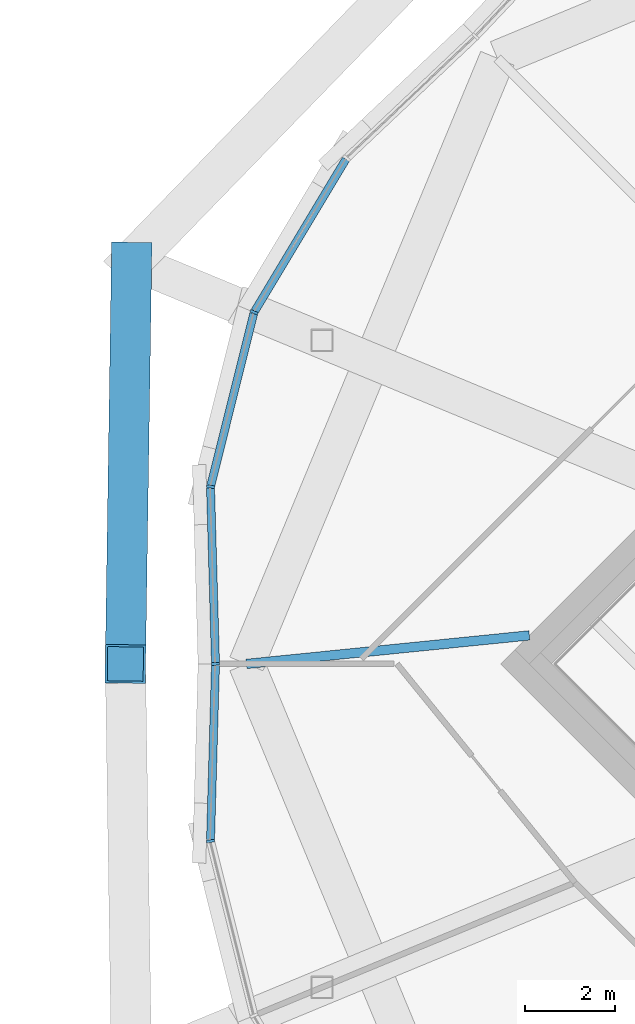
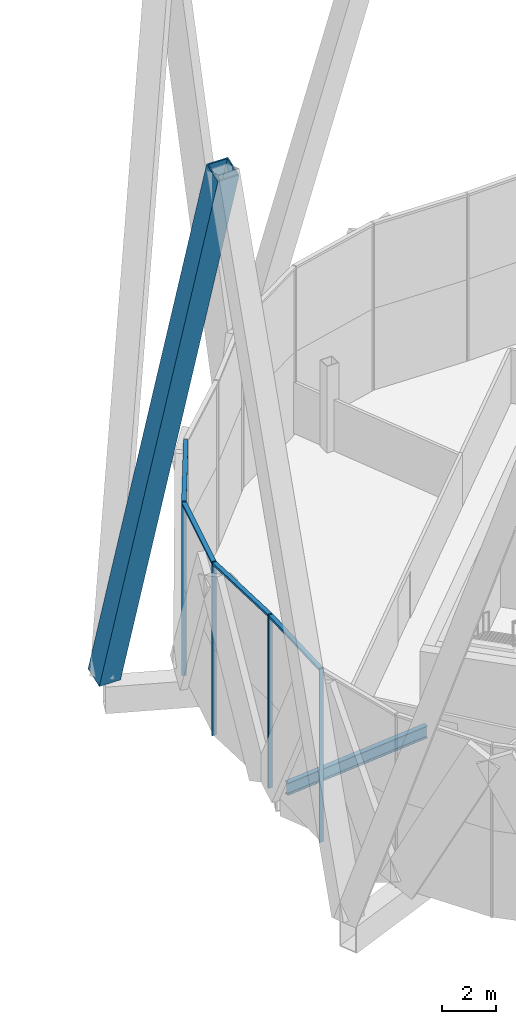
# One storey, part 26 of 53: 9 members, 1 beam, 2 elements without a shape of their own.
"""IFC4 building model written with IfcOpenShell, lengths in metres."""

from ifc_helpers import new_model, si_unit, direction, frame, origin, origin_2d, place, context, subcontext, project, spatial, rectangle, hollow_rectangle, i_section, extrude, material, material_profile, profile_set, type_object, element, aggregate, save


model = new_model("IFC4")

# Units and contexts
model_context = context("Model", 3, precision=1e-05, world=origin(), true_north=direction((0.0, 1.0)))
body_context = subcontext(model_context, "Body", "Model", "MODEL_VIEW")
ifc_project = project(units=[si_unit("LENGTHUNIT", "METRE"), si_unit("AREAUNIT", "SQUARE_METRE"), si_unit("VOLUMEUNIT", "CUBIC_METRE"), si_unit("PLANEANGLEUNIT", "RADIAN"), si_unit("MASSUNIT", "GRAM", prefix="KILO")], contexts=[model_context])

# Site, building, storey
site_placement = place(None, origin())
site = spatial("IfcSite", under=ifc_project, at=site_placement, CompositionType="ELEMENT")
building_placement = place(site_placement, origin())
building = spatial("IfcBuilding", under=site, at=building_placement, Name="Ogive Gate Towers", CompositionType="ELEMENT")
storey_placement = place(building_placement, frame((0.0, 0.0, 240.60009765625)))
storey = spatial("IfcBuildingStorey", under=building, at=storey_placement, Name="L57", CompositionType="ELEMENT", Elevation=240.60009765625)

# Member
ifc_material_1 = material(Name="Steel SM460", Category="steel")
ifc_material_profile_1 = material_profile(ifc_material_1, hollow_rectangle(XDim=0.89990234375, YDim=0.89990234375, WallThickness=0.050048828125, at=origin_2d()), Name="BX 900x900x50")
ifc_profile_set_1 = profile_set([ifc_material_profile_1], Name="Steel SM460")
member_type_1 = type_object("IfcMemberType", Name="Diagrid diagonal BX 900x900x50", PredefinedType="BRACE", material=ifc_profile_set_1)
member_1_placement = place(storey_placement, frame((14.32568359375, 8.977783203125, 0.0), z_axis=(-0.00458667981, -0.303356073086, 0.952866231582), x_axis=(0.999885715585, -0.015118061019, 0.0)))
element("IfcMember", 1, at=member_1_placement, inside=storey, type_object=member_type_1, Name="T2/L57/SDG008", PredefinedType="BRACE", context=body_context, shape_type="SweptSolid", body=[
    extrude(hollow_rectangle(XDim=0.89990234375, YDim=0.89990234375, WallThickness=0.050048828125, at=origin_2d()), origin(), (0.0, 0.0, 1.0), 29.594970703125),
])

# Beam
ifc_material_2 = material(Name="Steel SM355", Category="steel")
ifc_material_profile_2 = material_profile(ifc_material_2, i_section(OverallWidth=0.2099609375, OverallDepth=0.550048828125, WebThickness=0.010986328125, FlangeThickness=0.01708984375, FilletRadius=0.02392578125, at=origin_2d()), Name="IPE 550")
ifc_profile_set_2 = profile_set([ifc_material_profile_2], Name="Steel SM355")
beam_type = type_object("IfcBeamType", Name="Radial floor beam IPE 550", PredefinedType="BEAM", material=ifc_profile_set_2)
beam_placement = place(storey_placement, frame((23.201416015625, 0.636474609375, -0.5751953125), z_axis=(-0.994953773522, -0.100334383706, 0.0), x_axis=(0.100334383706, -0.994953773522, 0.0)))
element("IfcBeam", 2, at=beam_placement, inside=storey, type_object=beam_type, Name="T2/L57/SBM015", PredefinedType="BEAM", context=body_context, shape_type="SweptSolid", body=[
    extrude(i_section(OverallWidth=0.2099609375, OverallDepth=0.550048828125, WebThickness=0.010986328125, FlangeThickness=0.01708984375, FilletRadius=0.02392578125, at=origin_2d()), origin(), (0.0, 0.0, 1.0), 6.343505859375),
])

# Curtain wall, members
ifc_material_3 = material(Name="Pale metal aluminium", Category="aluminium")
curtain_wall_type = type_object("IfcCurtainWallType", Name="Tower unitised wall, high zone", PredefinedType="NOTDEFINED", material=ifc_material_3)
curtain_wall_1_placement = place(storey_placement, origin())
curtain_wall_1 = element("IfcCurtainWall", 3, at=curtain_wall_1_placement, inside=storey, type_object=curtain_wall_type, Name="CW2 T2 ECW04", PredefinedType="NOTDEFINED")
ifc_material_profile_3 = material_profile(ifc_material_3, rectangle(XDim=0.179931640625, YDim=0.06005859375, at=origin_2d()), Name="60 x 180 aluminium box")
ifc_profile_set_3 = profile_set([ifc_material_profile_3], Name="Pale metal aluminium")
member_type_2 = type_object("IfcMemberType", Name="Tower unitised wall, high zone mullion 60 x 180", PredefinedType="MULLION", material=ifc_profile_set_3)
member_2_placement = place(storey_placement, frame((17.059326171875, 7.845458984375, -0.300048828125), z_axis=(0.0, 0.0, 1.0), x_axis=(-0.923879532511, 0.382683432365, 0.0)))
member_2 = element("IfcMember", 4, at=member_2_placement, type_object=member_type_2, Name="CW2 mullion", PredefinedType="MULLION", context=body_context, shape_type="SweptSolid", body=[
    extrude(rectangle(XDim=0.179931640625, YDim=0.06005859375, at=origin_2d()), origin(), (0.0, 0.0, 1.0), 7.800048828125),
])
member_3_placement = place(storey_placement, frame((16.087890625, 3.95263671875, -0.300048828125), z_axis=(0.0, 0.0, 1.0), x_axis=(-0.994160384909, 0.107912599257, 0.0)))
member_3 = element("IfcMember", 5, at=member_3_placement, type_object=member_type_2, Name="CW2 mullion", PredefinedType="MULLION", context=body_context, shape_type="SweptSolid", body=[
    extrude(rectangle(XDim=0.179931640625, YDim=0.06005859375, at=origin_2d()), origin(), (0.0, 0.0, 1.0), 7.800048828125),
])
member_4_placement = place(storey_placement, frame((16.199951171875, 0.000244140625, -0.300048828125), z_axis=(0.0, 0.0, 1.0), x_axis=(-0.999598826037, -0.028322905681, 0.0)))
member_4 = element("IfcMember", 6, at=member_4_placement, type_object=member_type_2, Name="CW2 mullion", PredefinedType="MULLION", context=body_context, shape_type="SweptSolid", body=[
    extrude(rectangle(XDim=0.179931640625, YDim=0.06005859375, at=origin_2d()), origin(), (0.0, 0.0, 1.0), 7.800048828125),
])

# Curtain wall, member
curtain_wall_2_placement = place(storey_placement, origin())
curtain_wall_2 = element("IfcCurtainWall", 7, at=curtain_wall_2_placement, inside=storey, type_object=curtain_wall_type, Name="CW2 T2 ECW05", PredefinedType="NOTDEFINED")
member_5_placement = place(storey_placement, frame((16.087890625, -3.95263671875, -0.300048828125), z_axis=(0.0, 0.0, 1.0), x_axis=(-0.994160384909, -0.107912599257, 0.0)))
member_5 = element("IfcMember", 8, at=member_5_placement, type_object=member_type_2, Name="CW2 mullion", PredefinedType="MULLION", context=body_context, shape_type="SweptSolid", body=[
    extrude(rectangle(XDim=0.179931640625, YDim=0.06005859375, at=origin_2d()), origin(), (0.0, 0.0, 1.0), 7.800048828125),
])

# Member
ifc_material_profile_4 = material_profile(ifc_material_3, rectangle(XDim=0.179931640625, YDim=0.10009765625, at=origin_2d()), Name="100 x 180 aluminium box")
ifc_profile_set_4 = profile_set([ifc_material_profile_4], Name="Pale metal aluminium")
member_type_3 = type_object("IfcMemberType", Name="Tower unitised wall, high zone transom 100 x 180", PredefinedType="USERDEFINED", material=ifc_profile_set_4)
member_6_placement = place(storey_placement, frame((19.1103515625, 11.260498046875, 7.449951171875), z_axis=(-0.51482252034, -0.857296782072, 0.0), x_axis=(0.857296782072, -0.51482252034, 0.0)))
member_6 = element("IfcMember", 9, at=member_6_placement, type_object=member_type_3, Name="CW2 transom", ObjectType="TRANSOM", PredefinedType="USERDEFINED", context=body_context, shape_type="SweptSolid", body=[
    extrude(rectangle(XDim=0.179931640625, YDim=0.10009765625, at=origin_2d()), origin(), (0.0, 0.0, 1.0), 3.955078125),
])

member_7_placement = place(storey_placement, frame((17.052490234375, 7.81787109375, 7.449951171875), z_axis=(-0.24209986874, -0.970251335251, 0.0), x_axis=(0.970251335251, -0.24209986874, 0.0)))
member_7 = element("IfcMember", 10, at=member_7_placement, type_object=member_type_3, Name="CW2 transom", ObjectType="TRANSOM", PredefinedType="USERDEFINED", context=body_context, shape_type="SweptSolid", body=[
    extrude(rectangle(XDim=0.179931640625, YDim=0.10009765625, at=origin_2d()), origin(), (0.0, 0.0, 1.0), 3.955078125),
])

member_8_placement = place(storey_placement, frame((16.0888671875, 3.924072265625, 7.449951171875), z_axis=(0.02832896055, -0.999598654458, 0.0), x_axis=(0.999598654458, 0.02832896055, 0.0)))
member_8 = element("IfcMember", 11, at=member_8_placement, type_object=member_type_3, Name="CW2 transom", ObjectType="TRANSOM", PredefinedType="USERDEFINED", context=body_context, shape_type="SweptSolid", body=[
    extrude(rectangle(XDim=0.179931640625, YDim=0.10009765625, at=origin_2d()), origin(), (0.0, 0.0, 1.0), 3.895263671875),
])

aggregate(curtain_wall_1, [member_2, member_6, member_3, member_7, member_4, member_8])

member_9_placement = place(storey_placement, frame((16.19921875, -0.0302734375, 7.449951171875), z_axis=(-0.02832896055, -0.999598654458, 0.0), x_axis=(0.999598654458, -0.02832896055, 0.0)))
member_9 = element("IfcMember", 12, at=member_9_placement, type_object=member_type_3, Name="CW2 transom", ObjectType="TRANSOM", PredefinedType="USERDEFINED", context=body_context, shape_type="SweptSolid", body=[
    extrude(rectangle(XDim=0.179931640625, YDim=0.10009765625, at=origin_2d()), origin(), (0.0, 0.0, 1.0), 3.895263671875),
])

aggregate(curtain_wall_2, [member_5, member_9])

save(model, "model.ifc")
